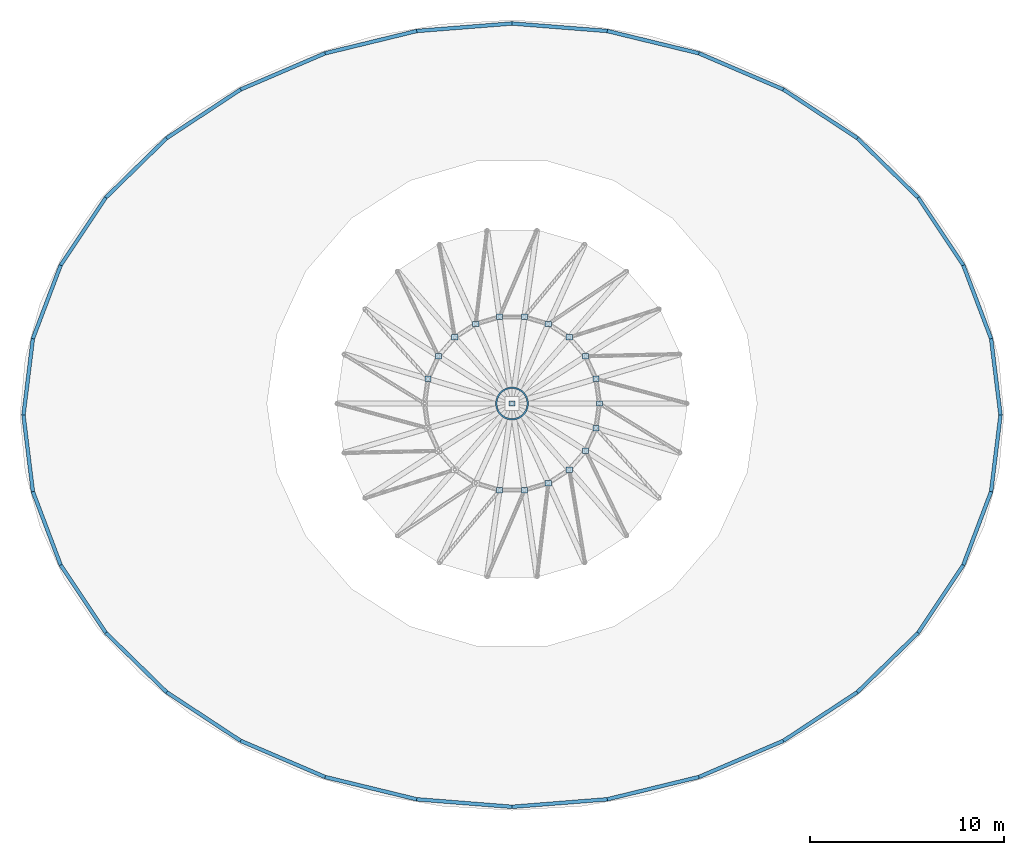
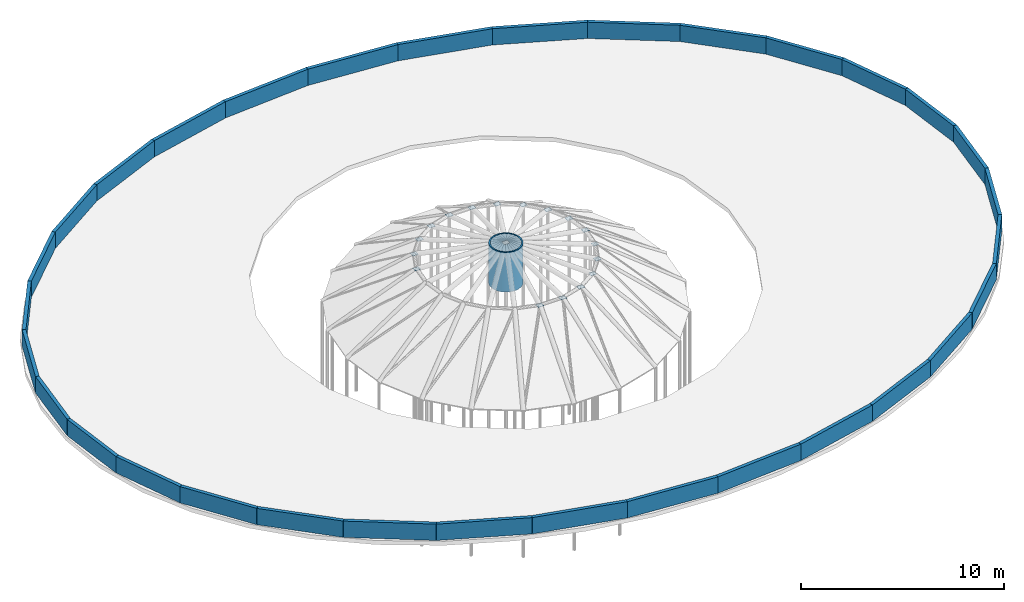
# One storey, part 7 of 8: 32 walls, 18 plates, 1 roof.
"""IFC4 building model written with IfcOpenShell, lengths in metres."""

import ifcopenshell
import ifcopenshell.guid

model = None  # the IFC model being written
_history = None  # IfcOwnerHistory: only IFC2X3 demands one
_inside = {}  # id of a spatial element -> (the spatial element, [elements in it])
_under = {}  # id of a project, library or spatial element -> (it, [spatial elements below it])
_declared = {}  # id of a project -> (the project, [libraries it declares])
_typed = {}  # id of a type object -> (the type object, [elements of that type])
_made_of = {}  # id of a material, layer set ... -> (it, [elements and type objects made of it])


def new_model(schema):
    """Start an empty IFC model of exactly this schema.

    Asked for "IFC4X3", IfcOpenShell would pick the latest addendum, in which some entities
    have other attributes; the version numbers below select the first issue.
    IFC2X3 requires an IfcOwnerHistory on every rooted entity: one is made here for all.
    """
    global model, _history
    if schema == "IFC4X3":
        model = ifcopenshell.file(schema_version=(4, 3, 0, 0))
    else:
        model = ifcopenshell.file(schema=schema)
    _inside.clear()
    _under.clear()
    _declared.clear()
    _typed.clear()
    _made_of.clear()
    _history = None
    if model.schema == "IFC2X3":
        org = make("IfcOrganization", Name="unknown")
        user = make(
            "IfcPersonAndOrganization",
            ThePerson=make("IfcPerson", FamilyName="unknown"),
            TheOrganization=org,
        )
        app = make(
            "IfcApplication",
            ApplicationDeveloper=org,
            Version="unknown",
            ApplicationFullName="unknown",
            ApplicationIdentifier="unknown",
        )
        _history = make(
            "IfcOwnerHistory",
            OwningUser=user,
            OwningApplication=app,
            ChangeAction="ADDED",
            CreationDate=0,
        )
    return model


def make(cls, **values):
    """One entity of the class cls with the attributes given. An attribute that is None is left unset."""
    return model.create_entity(
        cls, **{name: value for name, value in values.items() if value is not None}
    )


def rooted(cls, **values):
    """An entity with a GlobalId (a new one), such as an element, a storey or a relation."""
    return make(cls, GlobalId=ifcopenshell.guid.new(), OwnerHistory=_history, **values)


def si_unit(unit_type, name, prefix=None):
    """IfcSIUnit, for example si_unit("LENGTHUNIT", "METRE", prefix="MILLI")."""
    return make("IfcSIUnit", UnitType=unit_type, Prefix=prefix, Name=name)


def assignment(units):
    """IfcUnitAssignment: the units of a project."""
    return None if units is None else make("IfcUnitAssignment", Units=units)


def point(xyz):
    """IfcCartesianPoint."""
    return None if xyz is None else make("IfcCartesianPoint", Coordinates=xyz)


def direction(xyz):
    """IfcDirection."""
    return None if xyz is None else make("IfcDirection", DirectionRatios=xyz)


def frame(location, z_axis=None, x_axis=None):
    """IfcAxis2Placement3D, a coordinate frame: its origin and axes. An axis left out is left unset."""
    return make(
        "IfcAxis2Placement3D",
        Location=point(location),
        Axis=direction(z_axis),
        RefDirection=direction(x_axis),
    )


def frame_2d(location, x_axis=None):
    """IfcAxis2Placement2D, a coordinate frame in the plane: its origin and x axis."""
    return make(
        "IfcAxis2Placement2D", Location=point(location), RefDirection=direction(x_axis)
    )


def origin():
    """The frame at (0, 0, 0) with its axes left unset."""
    return frame((0.0, 0.0, 0.0))


def origin_2d():
    """The frame at (0, 0) in the plane with its x axis left unset."""
    return frame_2d((0.0, 0.0))


def place(relative_to, where):
    """IfcLocalPlacement: puts the frame where relative to a parent placement (None: the world)."""
    return make(
        "IfcLocalPlacement", PlacementRelTo=relative_to, RelativePlacement=where
    )


def context(
    kind, dimensions, precision=None, world=None, true_north=None, identifier=None
):
    """IfcGeometricRepresentationContext, for example the 3D "Model" context."""
    return make(
        "IfcGeometricRepresentationContext",
        ContextIdentifier=identifier,
        ContextType=kind,
        CoordinateSpaceDimension=dimensions,
        Precision=precision,
        WorldCoordinateSystem=world,
        TrueNorth=true_north,
    )


def subcontext(parent, identifier, kind, view, scale=None):
    """IfcGeometricRepresentationSubContext, for example "Body" below "Model"."""
    return make(
        "IfcGeometricRepresentationSubContext",
        ContextIdentifier=identifier,
        ContextType=kind,
        ParentContext=parent,
        TargetScale=scale,
        TargetView=view,
    )


def project(units=None, contexts=None):
    """IfcProject with its units and contexts."""
    return rooted(
        "IfcProject",
        Name="project",
        RepresentationContexts=contexts,
        UnitsInContext=assignment(units),
    )


def spatial(cls, under=None, at=None, **own):
    """A site, building, storey or space (cls), placed at a placement, below another one or the project."""
    s = rooted(cls, ObjectPlacement=at, **own)
    if under is not None:
        _under.setdefault(under.id(), (under, []))[1].append(s)
    return s


def profile(cls, at=None, kind="AREA", **sizes):
    """A parametric profile (cls). Its sizes go by their IFC names, for example OverallWidth=200.0."""
    return make(cls, ProfileType=kind, Position=at, **sizes)


def rectangle(**sizes):
    """IfcRectangleProfileDef."""
    return profile("IfcRectangleProfileDef", **sizes)


def hollow_circle(**sizes):
    """IfcCircleHollowProfileDef."""
    return profile("IfcCircleHollowProfileDef", **sizes)


def extrude(swept, where, along, depth):
    """IfcExtrudedAreaSolid: the profile swept, set in the frame where, extruded along a direction by depth."""
    return make(
        "IfcExtrudedAreaSolid",
        SweptArea=swept,
        Position=where,
        ExtrudedDirection=direction(along),
        Depth=depth,
    )


def shape(context_of_items, identifier, shape_type, items):
    """IfcShapeRepresentation: the items that make up one representation, for example the "Body"."""
    return make(
        "IfcShapeRepresentation",
        ContextOfItems=context_of_items,
        RepresentationIdentifier=identifier,
        RepresentationType=shape_type,
        Items=items,
    )


def material(Name=None, Category=None):
    """IfcMaterial."""
    return make("IfcMaterial", Name=Name, Category=Category)


def layer(
    of_material, thickness, ventilated=None, Name=None, Category=None, Priority=None
):
    """IfcMaterialLayer: one layer of a wall or slab, of a material (None: an air gap)."""
    return make(
        "IfcMaterialLayer",
        Material=of_material,
        LayerThickness=thickness,
        IsVentilated=ventilated,
        Name=Name,
        Category=Category,
        Priority=Priority,
    )


def layer_set(layers, Name=None):
    """IfcMaterialLayerSet."""
    return make("IfcMaterialLayerSet", MaterialLayers=layers, LayerSetName=Name)


def made_of(thing, what):
    """Note that an element or type object is made of a material, layer set ...; save() writes the relation."""
    if what is not None:
        _made_of.setdefault(what.id(), (what, []))[1].append(thing)
    return thing


def type_object(cls, material=None, **own):
    """A type object (cls), such as IfcWallType, which elements share."""
    return made_of(rooted(cls, **own), material)


def element(
    cls,
    number,
    at=None,
    inside=None,
    cuts=None,
    type_object=None,
    material=None,
    context=None,
    identifier="Body",
    shape_type=None,
    held_by="IfcProductDefinitionShape",
    body=None,
    shapes=None,
    **own,
):
    """One element of the class cls, such as IfcWall. Its Tag is "e" and its number.

    at: its placement. inside: the storey or other place that contains it. cuts: it is an
    opening in that element (IfcRelVoidsElement). A single representation is given by context,
    identifier, shape_type and body (its items); several are given by shapes. held_by: the class
    of the entity that holds the representations. save() writes the other relations.
    """
    e = rooted(cls, Tag="e%d" % number, ObjectPlacement=at, **own)
    if body is not None:
        shapes = [shape(context, identifier, shape_type, body)]
    if shapes is not None:
        e.Representation = make(held_by, Representations=shapes)
    if inside is not None:
        _inside.setdefault(inside.id(), (inside, []))[1].append(e)
    if cuts is not None:
        rooted(
            "IfcRelVoidsElement", RelatingBuildingElement=cuts, RelatedOpeningElement=e
        )
    if type_object is not None:
        _typed.setdefault(type_object.id(), (type_object, []))[1].append(e)
    return made_of(e, material)


def aggregate(whole, parts):
    """IfcRelAggregates: a whole, such as a stair, and the parts it consists of."""
    return rooted("IfcRelAggregates", RelatingObject=whole, RelatedObjects=parts)


def save(model, path):
    """Write the relations noted so far, then the file.

    IfcRelAggregates (storeys below a building ...), IfcRelContainedInSpatialStructure (elements
    in a storey), IfcRelDefinesByType, IfcRelAssociatesMaterial and IfcRelDeclares: one each for
    every whole, place, type object, material and project.
    """
    for whole, parts in _under.values():
        aggregate(whole, parts)
    for where, things in _inside.values():
        rooted(
            "IfcRelContainedInSpatialStructure",
            RelatedElements=things,
            RelatingStructure=where,
        )
    for kind, things in _typed.values():
        rooted("IfcRelDefinesByType", RelatedObjects=things, RelatingType=kind)
    for what, things in _made_of.values():
        rooted("IfcRelAssociatesMaterial", RelatedObjects=things, RelatingMaterial=what)
    for by, libraries in _declared.values():
        rooted("IfcRelDeclares", RelatingContext=by, RelatedDefinitions=libraries)
    model.write(path)


model = new_model("IFC4")

# Units and contexts
model_context = context("Model", 3, precision=1e-05, world=origin(), true_north=direction((0.0, 1.0)))
body_context = subcontext(model_context, "Body", "Model", "MODEL_VIEW")
ifc_project = project(units=[si_unit("LENGTHUNIT", "METRE"), si_unit("AREAUNIT", "SQUARE_METRE"), si_unit("VOLUMEUNIT", "CUBIC_METRE"), si_unit("PLANEANGLEUNIT", "RADIAN"), si_unit("MASSUNIT", "GRAM", prefix="KILO")], contexts=[model_context])

# Site, building, storey
site_placement = place(None, origin())
site = spatial("IfcSite", under=ifc_project, at=site_placement, CompositionType="ELEMENT")
building_placement = place(site_placement, origin())
building = spatial("IfcBuilding", under=site, at=building_placement, Name="Pelvatis Terrace Science Centre", CompositionType="ELEMENT")
storey_placement = place(building_placement, frame((0.0, 0.0, 28.800048828125)))
storey = spatial("IfcBuildingStorey", under=building, at=storey_placement, Name="RF", CompositionType="ELEMENT", Elevation=28.800048828125)

# Plates
ifc_material_1 = material(Name="Structural steel S355", Category="steel")
ifc_layer_1 = layer(ifc_material_1, 0.01611328125)
ifc_layer_set_1 = layer_set([ifc_layer_1], Name="Structural steel S355")
plate_type = type_object("IfcPlateType", Name="PLT-GUS-320x280x16", PredefinedType="USERDEFINED", material=ifc_layer_set_1)
for number, where, z_axis, x_axis, name in (
    (1, (113.532470703125, 87.072021484375, 1.554931640625), (0.0, 0.0, 1.0), (1.0, 0.0, 0.0), "Brace and strut end connection gusset plate 001"),
    (2, (112.99853515625, 88.2412109375, 1.554931640625), (0.0, 0.0, 1.0), (1.0, 0.0, 0.0), "Brace and strut end connection gusset plate 002"),
    (3, (112.156982421875, 89.21240234375, 1.554931640625), (0.0, 0.0, 1.0), (1.0, 0.0, 0.0), "Brace and strut end connection gusset plate 003"),
    (4, (111.07568359375, 89.907470703125, 1.554931640625), (0.0, 0.0, 1.0), (1.0, 0.0, 0.0), "Brace and strut end connection gusset plate 004"),
    (5, (109.842529296875, 90.26953125, 1.554931640625), (0.0, 0.0, 1.0), (1.0, 0.0, 0.0), "Brace and strut end connection gusset plate 005"),
    (6, (108.557373046875, 90.26953125, 1.554931640625), (0.0, 0.0, 1.0), (1.0, 0.0, 0.0), "Brace and strut end connection gusset plate 006"),
    (7, (107.32421875, 89.907470703125, 1.554931640625), (0.0, 0.0, 1.0), (1.0, 0.0, 0.0), "Brace and strut end connection gusset plate 007"),
    (8, (106.242919921875, 89.21240234375, 1.554931640625), (0.0, 0.0, 1.0), (1.0, 0.0, 0.0), "Brace and strut end connection gusset plate 008"),
    (9, (105.4013671875, 88.2412109375, 1.554931640625), (0.0, 0.0, 1.0), (1.0, 0.0, 0.0), "Brace and strut end connection gusset plate 009"),
    (10, (104.867431640625, 87.072021484375, 1.554931640625), (0.0, 0.0, 1.0), (1.0, 0.0, 0.0), "Brace and strut end connection gusset plate 010"),
    (11, (108.557373046875, 81.33056640625, 1.554931640625), (0.0, 0.0, 1.0), (1.0, 0.0, 0.0), "Brace and strut end connection gusset plate 016"),
    (12, (109.842529296875, 81.33056640625, 1.554931640625), (0.0, 0.0, 1.0), (1.0, 0.0, 0.0), "Brace and strut end connection gusset plate 017"),
    (13, (111.07568359375, 81.692626953125, 1.554931640625), (0.0, 0.0, 1.0), (1.0, 0.0, 0.0), "Brace and strut end connection gusset plate 018"),
    (14, (112.156982421875, 82.387451171875, 1.554931640625), (0.0, 0.0, 1.0), (1.0, 0.0, 0.0), "Brace and strut end connection gusset plate 019"),
    (15, (112.99853515625, 83.35888671875, 1.554931640625), (0.0, 0.0, 1.0), (1.0, 0.0, 0.0), "Brace and strut end connection gusset plate 020"),
    (16, (113.532470703125, 84.52783203125, 1.554931640625), (0.0, 0.0, 1.0), (1.0, 0.0, 0.0), "Brace and strut end connection gusset plate 021"),
    (17, (113.71533203125, 85.800048828125, 1.554931640625), (0.0, 0.0, 1.0), (1.0, 0.0, 0.0), "Brace and strut end connection gusset plate 022"),
    (18, (109.199951171875, 85.800048828125, 2.391845703125), (0.0, 0.0, 1.0), (1.0, 0.0, 0.0), "Brace and strut end connection gusset plate 285"),
):
    element("IfcPlate", number, at=place(storey_placement, frame(where, z_axis=z_axis, x_axis=x_axis)), inside=storey, type_object=plate_type, Name=name, ObjectType="GUSSET", PredefinedType="USERDEFINED", context=body_context, shape_type="SweptSolid", body=[
        extrude(rectangle(XDim=0.320068359375, YDim=0.280029296875, at=origin_2d()), origin(), (0.0, 0.0, 1.0), 0.01611328125),
    ])

# Walls
ifc_material_2 = material(Name="White architectural precast concrete C40/50 spandrel parapet", Category="concrete")
ifc_layer_2 = layer(ifc_material_2, 0.18994140625)
ifc_layer_set_2 = layer_set([ifc_layer_2], Name="White architectural precast concrete C40/50 spandrel parapet")
wall_type = type_object("IfcWallType", Name="WL-PAR-190", PredefinedType="PARAPET", material=ifc_layer_set_2)
wall_1_placement = place(storey_placement, frame((134.419921875, 85.199951171875, 0.0), z_axis=(0.0, 0.0, 1.0), x_axis=(-0.121932706011, 0.992538369639, 0.0)))
element("IfcWall", 19, at=wall_1_placement, inside=storey, type_object=wall_type, Name="White spiral ring parapet PW-CRV-RF-001", PredefinedType="PARAPET", context=body_context, shape_type="SweptSolid", body=[
    extrude(rectangle(XDim=3.974365234375, YDim=0.18994140625, at=frame_2d((1.9873046875, 0.0))), origin(), (0.0, 0.0, 1.0), 0.97998046875),
])
wall_2_placement = place(storey_placement, frame((133.935302734375, 89.144775390625, 0.0), z_axis=(0.0, 0.0, 1.0), x_axis=(-0.353846553879, 0.935303488878, 0.0)))
element("IfcWall", 20, at=wall_2_placement, inside=storey, type_object=wall_type, Name="White spiral ring parapet PW-CRV-RF-002", PredefinedType="PARAPET", context=body_context, shape_type="SweptSolid", body=[
    extrude(rectangle(XDim=4.0556640625, YDim=0.18994140625, at=frame_2d((2.02783203125, 0.0))), origin(), (0.0, 0.0, 1.0), 0.97998046875),
])
wall_3_placement = place(storey_placement, frame((132.500244140625, 92.93798828125, 0.0), z_axis=(0.0, 0.0, 1.0), x_axis=(-0.55472701637, 0.832032413617, 0.0)))
element("IfcWall", 21, at=wall_3_placement, inside=storey, type_object=wall_type, Name="White spiral ring parapet PW-CRV-RF-003", PredefinedType="PARAPET", context=body_context, shape_type="SweptSolid", body=[
    extrude(rectangle(XDim=4.201171875, YDim=0.18994140625, at=frame_2d((2.1005859375, 0.0))), origin(), (0.0, 0.0, 1.0), 0.97998046875),
])
wall_4_placement = place(storey_placement, frame((130.169677734375, 96.43359375, 0.0), z_axis=(0.0, 0.0, 1.0), x_axis=(-0.715299152951, 0.698818375394, 0.0)))
element("IfcWall", 22, at=wall_4_placement, inside=storey, type_object=wall_type, Name="White spiral ring parapet PW-CRV-RF-004", PredefinedType="PARAPET", context=body_context, shape_type="SweptSolid", body=[
    extrude(rectangle(XDim=4.384765625, YDim=0.18994140625, at=frame_2d((2.1923828125, 0.0))), origin(), (0.0, 0.0, 1.0), 0.97998046875),
])
wall_5_placement = place(storey_placement, frame((127.033203125, 99.497802734375, 0.0), z_axis=(0.0, 0.0, 1.0), x_axis=(-0.835409344054, 0.549628263345, 0.0)))
element("IfcWall", 23, at=wall_5_placement, inside=storey, type_object=wall_type, Name="White spiral ring parapet PW-CRV-RF-005", PredefinedType="PARAPET", context=body_context, shape_type="SweptSolid", body=[
    extrude(rectangle(XDim=4.57470703125, YDim=0.18994140625, at=frame_2d((2.287353515625, 0.0))), origin(), (0.0, 0.0, 1.0), 0.97998046875),
])
wall_6_placement = place(storey_placement, frame((123.21142578125, 102.01220703125, 0.0), z_axis=(0.0, 0.0, 1.0), x_axis=(-0.919142367931, 0.393925510059, 0.0)))
element("IfcWall", 24, at=wall_6_placement, inside=storey, type_object=wall_type, Name="White spiral ring parapet PW-CRV-RF-006", PredefinedType="PARAPET", context=body_context, shape_type="SweptSolid", body=[
    extrude(rectangle(XDim=4.74365234375, YDim=0.18994140625, at=frame_2d((2.371826171875, 0.0))), origin(), (0.0, 0.0, 1.0), 0.97998046875),
])
wall_7_placement = place(storey_placement, frame((118.851318359375, 103.880859375, 0.0), z_axis=(0.0, 0.0, 1.0), x_axis=(-0.971676938951, 0.23631319538, 0.0)))
element("IfcWall", 25, at=wall_7_placement, inside=storey, type_object=wall_type, Name="White spiral ring parapet PW-CRV-RF-007", PredefinedType="PARAPET", context=body_context, shape_type="SweptSolid", body=[
    extrude(rectangle(XDim=4.869140625, YDim=0.18994140625, at=frame_2d((2.4345703125, 0.0))), origin(), (0.0, 0.0, 1.0), 0.97998046875),
])
for number, where, z_axis, x_axis, name in (
    (26, (114.1201171875, 105.031494140625, 0.0), (0.0, 0.0, 1.0), (-0.996898250786, 0.078701191733, 0.0), "White spiral ring parapet PW-CRV-RF-008"),
    (27, (109.199951171875, 105.419921875, 0.0), (0.0, 0.0, 1.0), (-0.996898250786, -0.078701191733, 0.0), "White spiral ring parapet PW-CRV-RF-009"),
):
    element("IfcWall", number, at=place(storey_placement, frame(where, z_axis=z_axis, x_axis=x_axis)), inside=storey, type_object=wall_type, Name=name, PredefinedType="PARAPET", context=body_context, shape_type="SweptSolid", body=[
        extrude(rectangle(XDim=4.935546875, YDim=0.18994140625, at=frame_2d((2.4677734375, 0.0))), origin(), (0.0, 0.0, 1.0), 0.97998046875),
    ])
wall_8_placement = place(storey_placement, frame((104.27978515625, 105.031494140625, 0.0), z_axis=(0.0, 0.0, 1.0), x_axis=(-0.971676938951, -0.23631319538, 0.0)))
element("IfcWall", 28, at=wall_8_placement, inside=storey, type_object=wall_type, Name="White spiral ring parapet PW-CRV-RF-010", PredefinedType="PARAPET", context=body_context, shape_type="SweptSolid", body=[
    extrude(rectangle(XDim=4.869140625, YDim=0.18994140625, at=frame_2d((2.4345703125, 0.0))), origin(), (0.0, 0.0, 1.0), 0.97998046875),
])
wall_9_placement = place(storey_placement, frame((99.548583984375, 103.880859375, 0.0), z_axis=(0.0, 0.0, 1.0), x_axis=(-0.919142367931, -0.393925510059, 0.0)))
element("IfcWall", 29, at=wall_9_placement, inside=storey, type_object=wall_type, Name="White spiral ring parapet PW-CRV-RF-011", PredefinedType="PARAPET", context=body_context, shape_type="SweptSolid", body=[
    extrude(rectangle(XDim=4.74365234375, YDim=0.18994140625, at=frame_2d((2.371826171875, 0.0))), origin(), (0.0, 0.0, 1.0), 0.97998046875),
])
wall_10_placement = place(storey_placement, frame((95.1884765625, 102.01220703125, 0.0), z_axis=(0.0, 0.0, 1.0), x_axis=(-0.835409344054, -0.549628263345, 0.0)))
element("IfcWall", 30, at=wall_10_placement, inside=storey, type_object=wall_type, Name="White spiral ring parapet PW-CRV-RF-012", PredefinedType="PARAPET", context=body_context, shape_type="SweptSolid", body=[
    extrude(rectangle(XDim=4.57470703125, YDim=0.18994140625, at=frame_2d((2.287353515625, 0.0))), origin(), (0.0, 0.0, 1.0), 0.97998046875),
])
wall_11_placement = place(storey_placement, frame((91.36669921875, 99.497802734375, 0.0), z_axis=(0.0, 0.0, 1.0), x_axis=(-0.715299152951, -0.698818375394, 0.0)))
element("IfcWall", 31, at=wall_11_placement, inside=storey, type_object=wall_type, Name="White spiral ring parapet PW-CRV-RF-013", PredefinedType="PARAPET", context=body_context, shape_type="SweptSolid", body=[
    extrude(rectangle(XDim=4.384765625, YDim=0.18994140625, at=frame_2d((2.1923828125, 0.0))), origin(), (0.0, 0.0, 1.0), 0.97998046875),
])
wall_12_placement = place(storey_placement, frame((88.230224609375, 96.43359375, 0.0), z_axis=(0.0, 0.0, 1.0), x_axis=(-0.554686785504, -0.832059234662, 0.0)))
element("IfcWall", 32, at=wall_12_placement, inside=storey, type_object=wall_type, Name="White spiral ring parapet PW-CRV-RF-014", PredefinedType="PARAPET", context=body_context, shape_type="SweptSolid", body=[
    extrude(rectangle(XDim=4.201171875, YDim=0.18994140625, at=frame_2d((2.1005859375, 0.0))), origin(), (0.0, 0.0, 1.0), 0.97998046875),
])
wall_13_placement = place(storey_placement, frame((85.89990234375, 92.93798828125, 0.0), z_axis=(0.0, 0.0, 1.0), x_axis=(-0.353899213366, -0.935283564904, 0.0)))
element("IfcWall", 33, at=wall_13_placement, inside=storey, type_object=wall_type, Name="White spiral ring parapet PW-CRV-RF-015", PredefinedType="PARAPET", context=body_context, shape_type="SweptSolid", body=[
    extrude(rectangle(XDim=4.0556640625, YDim=0.18994140625, at=frame_2d((2.02783203125, 0.0))), origin(), (0.0, 0.0, 1.0), 0.97998046875),
])
wall_14_placement = place(storey_placement, frame((84.464599609375, 89.144775390625, 0.0), z_axis=(0.0, 0.0, 1.0), x_axis=(-0.121932706011, -0.992538369639, 0.0)))
element("IfcWall", 34, at=wall_14_placement, inside=storey, type_object=wall_type, Name="White spiral ring parapet PW-CRV-RF-016", PredefinedType="PARAPET", context=body_context, shape_type="SweptSolid", body=[
    extrude(rectangle(XDim=3.974365234375, YDim=0.18994140625, at=frame_2d((1.9873046875, 0.0))), origin(), (0.0, 0.0, 1.0), 0.97998046875),
])
wall_15_placement = place(storey_placement, frame((83.97998046875, 85.199951171875, 0.0), z_axis=(0.0, 0.0, 1.0), x_axis=(0.121940140541, -0.992537456283, 0.0)))
element("IfcWall", 35, at=wall_15_placement, inside=storey, type_object=wall_type, Name="White spiral ring parapet PW-CRV-RF-017", PredefinedType="PARAPET", context=body_context, shape_type="SweptSolid", body=[
    extrude(rectangle(XDim=3.97412109375, YDim=0.18994140625, at=frame_2d((1.987060546875, 0.0))), origin(), (0.0, 0.0, 1.0), 0.97998046875),
])
wall_16_placement = place(storey_placement, frame((84.464599609375, 81.25537109375, 0.0), z_axis=(0.0, 0.0, 1.0), x_axis=(0.353899213366, -0.935283564904, 0.0)))
element("IfcWall", 36, at=wall_16_placement, inside=storey, type_object=wall_type, Name="White spiral ring parapet PW-CRV-RF-018", PredefinedType="PARAPET", context=body_context, shape_type="SweptSolid", body=[
    extrude(rectangle(XDim=4.0556640625, YDim=0.18994140625, at=frame_2d((2.02783203125, 0.0))), origin(), (0.0, 0.0, 1.0), 0.97998046875),
])
wall_17_placement = place(storey_placement, frame((85.89990234375, 77.462158203125, 0.0), z_axis=(0.0, 0.0, 1.0), x_axis=(0.554659965576, -0.832077113366, 0.0)))
element("IfcWall", 37, at=wall_17_placement, inside=storey, type_object=wall_type, Name="White spiral ring parapet PW-CRV-RF-019", PredefinedType="PARAPET", context=body_context, shape_type="SweptSolid", body=[
    extrude(rectangle(XDim=4.201416015625, YDim=0.18994140625, at=frame_2d((2.1005859375, 0.0))), origin(), (0.0, 0.0, 1.0), 0.97998046875),
])
wall_18_placement = place(storey_placement, frame((88.230224609375, 73.96630859375, 0.0), z_axis=(0.0, 0.0, 1.0), x_axis=(0.715326985056, -0.698789885767, 0.0)))
element("IfcWall", 38, at=wall_18_placement, inside=storey, type_object=wall_type, Name="White spiral ring parapet PW-CRV-RF-020", PredefinedType="PARAPET", context=body_context, shape_type="SweptSolid", body=[
    extrude(rectangle(XDim=4.384765625, YDim=0.18994140625, at=frame_2d((2.1923828125, 0.0))), origin(), (0.0, 0.0, 1.0), 0.97998046875),
])
wall_19_placement = place(storey_placement, frame((91.36669921875, 70.90234375, 0.0), z_axis=(0.0, 0.0, 1.0), x_axis=(0.835384839637, -0.549665507108, 0.0)))
element("IfcWall", 39, at=wall_19_placement, inside=storey, type_object=wall_type, Name="White spiral ring parapet PW-CRV-RF-021", PredefinedType="PARAPET", context=body_context, shape_type="SweptSolid", body=[
    extrude(rectangle(XDim=4.574951171875, YDim=0.18994140625, at=frame_2d((2.28759765625, 0.0))), origin(), (0.0, 0.0, 1.0), 0.97998046875),
])
wall_20_placement = place(storey_placement, frame((95.1884765625, 68.3876953125, 0.0), z_axis=(0.0, 0.0, 1.0), x_axis=(0.919161001986, -0.393882028568, 0.0)))
element("IfcWall", 40, at=wall_20_placement, inside=storey, type_object=wall_type, Name="White spiral ring parapet PW-CRV-RF-022", PredefinedType="PARAPET", context=body_context, shape_type="SweptSolid", body=[
    extrude(rectangle(XDim=4.74365234375, YDim=0.18994140625, at=frame_2d((2.371826171875, 0.0))), origin(), (0.0, 0.0, 1.0), 0.97998046875),
])
wall_21_placement = place(storey_placement, frame((99.548583984375, 66.519287109375, 0.0), z_axis=(0.0, 0.0, 1.0), x_axis=(0.971665424619, -0.236360535201, 0.0)))
element("IfcWall", 41, at=wall_21_placement, inside=storey, type_object=wall_type, Name="White spiral ring parapet PW-CRV-RF-023", PredefinedType="PARAPET", context=body_context, shape_type="SweptSolid", body=[
    extrude(rectangle(XDim=4.869140625, YDim=0.18994140625, at=frame_2d((2.4345703125, 0.0))), origin(), (0.0, 0.0, 1.0), 0.97998046875),
])
for number, where, z_axis, x_axis, name in (
    (42, (104.27978515625, 65.368408203125, 0.0), (0.0, 0.0, 1.0), (0.996898250786, -0.078701191733, 0.0), "White spiral ring parapet PW-CRV-RF-024"),
    (43, (109.199951171875, 64.97998046875, 0.0), (0.0, 0.0, 1.0), (0.996898250786, 0.078701191733, 0.0), "White spiral ring parapet PW-CRV-RF-025"),
):
    element("IfcWall", number, at=place(storey_placement, frame(where, z_axis=z_axis, x_axis=x_axis)), inside=storey, type_object=wall_type, Name=name, PredefinedType="PARAPET", context=body_context, shape_type="SweptSolid", body=[
        extrude(rectangle(XDim=4.935546875, YDim=0.18994140625, at=frame_2d((2.4677734375, 0.0))), origin(), (0.0, 0.0, 1.0), 0.97998046875),
    ])
wall_22_placement = place(storey_placement, frame((114.1201171875, 65.368408203125, 0.0), z_axis=(0.0, 0.0, 1.0), x_axis=(0.971665424619, 0.236360535201, 0.0)))
element("IfcWall", 44, at=wall_22_placement, inside=storey, type_object=wall_type, Name="White spiral ring parapet PW-CRV-RF-026", PredefinedType="PARAPET", context=body_context, shape_type="SweptSolid", body=[
    extrude(rectangle(XDim=4.869140625, YDim=0.18994140625, at=frame_2d((2.4345703125, 0.0))), origin(), (0.0, 0.0, 1.0), 0.97998046875),
])
wall_23_placement = place(storey_placement, frame((118.851318359375, 66.519287109375, 0.0), z_axis=(0.0, 0.0, 1.0), x_axis=(0.919161001986, 0.393882028568, 0.0)))
element("IfcWall", 45, at=wall_23_placement, inside=storey, type_object=wall_type, Name="White spiral ring parapet PW-CRV-RF-027", PredefinedType="PARAPET", context=body_context, shape_type="SweptSolid", body=[
    extrude(rectangle(XDim=4.74365234375, YDim=0.18994140625, at=frame_2d((2.371826171875, 0.0))), origin(), (0.0, 0.0, 1.0), 0.97998046875),
])
wall_24_placement = place(storey_placement, frame((123.21142578125, 68.3876953125, 0.0), z_axis=(0.0, 0.0, 1.0), x_axis=(0.835384839637, 0.549665507108, 0.0)))
element("IfcWall", 46, at=wall_24_placement, inside=storey, type_object=wall_type, Name="White spiral ring parapet PW-CRV-RF-028", PredefinedType="PARAPET", context=body_context, shape_type="SweptSolid", body=[
    extrude(rectangle(XDim=4.574951171875, YDim=0.18994140625, at=frame_2d((2.28759765625, 0.0))), origin(), (0.0, 0.0, 1.0), 0.97998046875),
])
wall_25_placement = place(storey_placement, frame((127.033203125, 70.90234375, 0.0), z_axis=(0.0, 0.0, 1.0), x_axis=(0.715326985056, 0.698789885767, 0.0)))
element("IfcWall", 47, at=wall_25_placement, inside=storey, type_object=wall_type, Name="White spiral ring parapet PW-CRV-RF-029", PredefinedType="PARAPET", context=body_context, shape_type="SweptSolid", body=[
    extrude(rectangle(XDim=4.384765625, YDim=0.18994140625, at=frame_2d((2.1923828125, 0.0))), origin(), (0.0, 0.0, 1.0), 0.97998046875),
])
wall_26_placement = place(storey_placement, frame((130.169677734375, 73.96630859375, 0.0), z_axis=(0.0, 0.0, 1.0), x_axis=(0.554700196225, 0.832050294338, 0.0)))
element("IfcWall", 48, at=wall_26_placement, inside=storey, type_object=wall_type, Name="White spiral ring parapet PW-CRV-RF-030", PredefinedType="PARAPET", context=body_context, shape_type="SweptSolid", body=[
    extrude(rectangle(XDim=4.201416015625, YDim=0.18994140625, at=frame_2d((2.1005859375, 0.0))), origin(), (0.0, 0.0, 1.0), 0.97998046875),
])
wall_27_placement = place(storey_placement, frame((132.500244140625, 77.462158203125, 0.0), z_axis=(0.0, 0.0, 1.0), x_axis=(0.353846553879, 0.935303488878, 0.0)))
element("IfcWall", 49, at=wall_27_placement, inside=storey, type_object=wall_type, Name="White spiral ring parapet PW-CRV-RF-031", PredefinedType="PARAPET", context=body_context, shape_type="SweptSolid", body=[
    extrude(rectangle(XDim=4.0556640625, YDim=0.18994140625, at=frame_2d((2.02783203125, 0.0))), origin(), (0.0, 0.0, 1.0), 0.97998046875),
])
wall_28_placement = place(storey_placement, frame((133.935302734375, 81.25537109375, 0.0), z_axis=(0.0, 0.0, 1.0), x_axis=(0.121940140541, 0.992537456283, 0.0)))
element("IfcWall", 50, at=wall_28_placement, inside=storey, type_object=wall_type, Name="White spiral ring parapet PW-CRV-RF-032", PredefinedType="PARAPET", context=body_context, shape_type="SweptSolid", body=[
    extrude(rectangle(XDim=3.97412109375, YDim=0.18994140625, at=frame_2d((1.987060546875, 0.0))), origin(), (0.0, 0.0, 1.0), 0.97998046875),
])

# Roof
ifc_material_3 = material(Name="Structural steel S355", Category="steel")
roof_placement = place(storey_placement, frame((109.199951171875, 85.800048828125, 0.0)))
element("IfcRoof", 51, at=roof_placement, inside=storey, material=ifc_material_3, Name="Planetarium Closed Hemispherical Steel Dome Roof", PredefinedType="DOME_ROOF", context=body_context, shape_type="SweptSolid", body=[
    extrude(hollow_circle(Radius=0.85, WallThickness=0.08, at=origin_2d()), origin(), (0.0, 0.0, 1.0), 2.39990234375),
])

save(model, "model.ifc")
